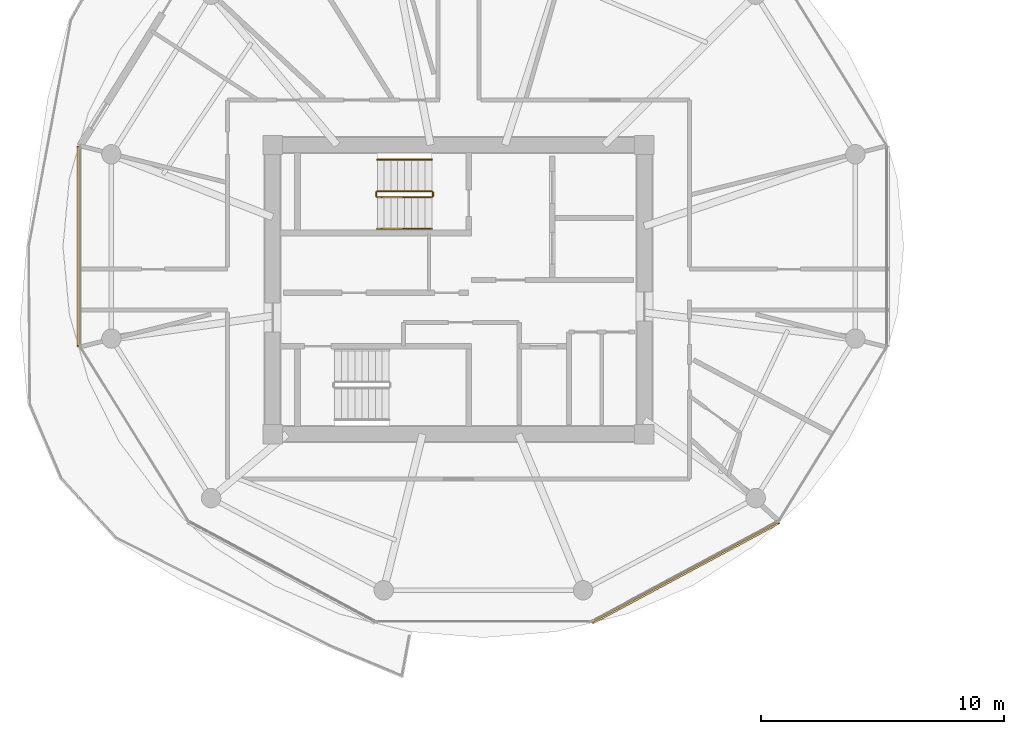
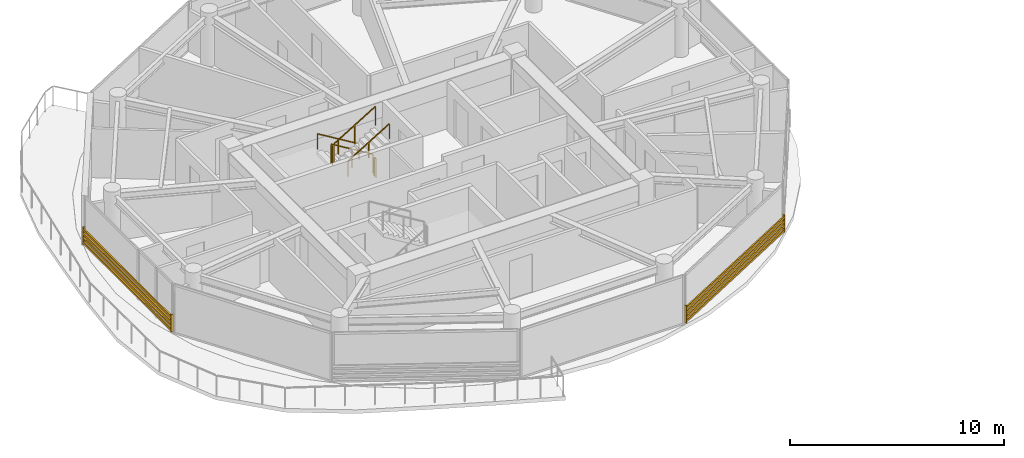
# One storey, part 20 of 23: 6 railings, 2 shading devices.
"""IFC4 building model written with IfcOpenShell, lengths in metres."""

from ifc_helpers import new_model, si_unit, direction, frame, origin, origin_2d, place, context, subcontext, project, spatial, rectangle, extrude, source, transform, mapped, material, type_object, type_shapes, element, save


model = new_model("IFC4")

# Units and contexts
model_context = context("Model", 3, precision=1e-05, world=origin(), true_north=direction((0.0, 1.0)))
body_context = subcontext(model_context, "Body", "Model", "MODEL_VIEW")
ifc_project = project(units=[si_unit("LENGTHUNIT", "METRE"), si_unit("AREAUNIT", "SQUARE_METRE"), si_unit("VOLUMEUNIT", "CUBIC_METRE"), si_unit("PLANEANGLEUNIT", "RADIAN"), si_unit("MASSUNIT", "GRAM", prefix="KILO")], contexts=[model_context])

# Site, building, storey
site_placement = place(None, origin())
site = spatial("IfcSite", under=ifc_project, at=site_placement, CompositionType="ELEMENT")
building_placement = place(site_placement, origin())
building = spatial("IfcBuilding", under=site, at=building_placement, Name="Norrkilde Senior Care Towers", CompositionType="ELEMENT")
storey_placement = place(building_placement, frame((0.0, 0.0, 164.800048828125)))
storey = spatial("IfcBuildingStorey", under=building, at=storey_placement, Name="L51", CompositionType="ELEMENT", Elevation=164.800048828125)

# Railings
ifc_material_1 = material(Name="Stainless Steel", Category="steel")
railing_type_1 = type_object("IfcRailingType", Name="Stair and Terrace Guardrail 1100", PredefinedType="GUARDRAIL", material=ifc_material_1)
railing_1_placement = place(storey_placement, frame((-29.10009765625, 4.050048828125, 0.16943359375)))
element("IfcRailing", 1, at=railing_1_placement, inside=storey, type_object=railing_type_1, Name="L51 ST-W1 stair guard 1", PredefinedType="GUARDRAIL", context=body_context, shape_type="SweptSolid", body=[
    extrude(rectangle(XDim=0.048095703125, YDim=0.048095703125, at=origin_2d()), frame((0.0, 0.0, 1.076171875), z_axis=(-0.855553338991, 0.0, 0.51771467445), x_axis=(0.0, -1.0, 0.0)), (0.0, 0.0, 1.0), 2.6181640625),
    extrude(rectangle(XDim=0.0419921875, YDim=0.0419921875, at=origin_2d()), origin(), (0.0, 0.0, 1.0), 1.050048828125),
    extrude(rectangle(XDim=0.0419921875, YDim=0.0419921875, at=origin_2d()), frame((-1.1201171875, 0.0, 0.677734375)), (0.0, 0.0, 1.0), 1.050048828125),
    extrude(rectangle(XDim=0.0419921875, YDim=0.0419921875, at=origin_2d()), frame((-2.239990234375, 0.0, 1.35546875)), (0.0, 0.0, 1.0), 1.050048828125),
])
railing_2_placement = place(storey_placement, frame((-31.389892578125, 4.0, 1.52490234375)))
element("IfcRailing", 2, at=railing_2_placement, inside=storey, type_object=railing_type_1, Name="L51 ST-W1 stair guard 2", PredefinedType="GUARDRAIL", context=body_context, shape_type="SweptSolid", body=[
    extrude(rectangle(XDim=0.048095703125, YDim=0.048095703125, at=origin_2d()), frame((0.0, 0.0, 1.076171875), z_axis=(0.0, -1.0, 0.0), x_axis=(1.0, 0.0, 0.0)), (0.0, 0.0, 1.0), 0.14990234375),
    extrude(rectangle(XDim=0.0419921875, YDim=0.0419921875, at=origin_2d()), origin(), (0.0, 0.0, 1.0), 1.050048828125),
    extrude(rectangle(XDim=0.0419921875, YDim=0.0419921875, at=origin_2d()), frame((0.0, -0.14990234375, 0.0)), (0.0, 0.0, 1.0), 1.050048828125),
])
railing_3_placement = place(storey_placement, frame((-31.340087890625, 3.800048828125, 1.6943359375)))
element("IfcRailing", 3, at=railing_3_placement, inside=storey, type_object=railing_type_1, Name="L51 ST-W1 stair guard 3", PredefinedType="GUARDRAIL", context=body_context, shape_type="SweptSolid", body=[
    extrude(rectangle(XDim=0.048095703125, YDim=0.048095703125, at=origin_2d()), frame((0.0, 0.0, 1.076171875), z_axis=(0.855512035549, 0.0, 0.517782924622), x_axis=(0.0, 1.0, 0.0)), (0.0, 0.0, 1.0), 2.618408203125),
    extrude(rectangle(XDim=0.0419921875, YDim=0.0419921875, at=origin_2d()), origin(), (0.0, 0.0, 1.0), 1.050048828125),
    extrude(rectangle(XDim=0.0419921875, YDim=0.0419921875, at=origin_2d()), frame((1.1201171875, 0.0, 0.677734375)), (0.0, 0.0, 1.0), 1.050048828125),
    extrude(rectangle(XDim=0.0419921875, YDim=0.0419921875, at=origin_2d()), frame((2.239990234375, 0.0, 1.355712890625)), (0.0, 0.0, 1.0), 1.050048828125),
])
railing_4_placement = place(storey_placement, frame((-29.050048828125, 4.0, 0.0)))
element("IfcRailing", 4, at=railing_4_placement, inside=storey, type_object=railing_type_1, Name="L51 ST-W1 stair guard 4", PredefinedType="GUARDRAIL", context=body_context, shape_type="SweptSolid", body=[
    extrude(rectangle(XDim=0.048095703125, YDim=0.048095703125, at=origin_2d()), frame((0.0, 0.0, 1.076171875), z_axis=(0.0, -1.0, 0.0), x_axis=(1.0, 0.0, 0.0)), (0.0, 0.0, 1.0), 0.14990234375),
    extrude(rectangle(XDim=0.0419921875, YDim=0.0419921875, at=origin_2d()), origin(), (0.0, 0.0, 1.0), 1.050048828125),
    extrude(rectangle(XDim=0.0419921875, YDim=0.0419921875, at=origin_2d()), frame((0.0, -0.14990234375, 0.0)), (0.0, 0.0, 1.0), 1.050048828125),
])
ifc_material_2 = material(Name="Nordic Ash Timber", Category="wood")
railing_type_2 = type_object("IfcRailingType", Name="Wall and Stair Handrail 900", PredefinedType="HANDRAIL", material=ifc_material_2)
railing_5_placement = place(storey_placement, frame((-29.10009765625, 5.35009765625, 0.16943359375)))
element("IfcRailing", 5, at=railing_5_placement, inside=storey, type_object=railing_type_2, Name="L51 ST-W1 stair handrail 1", PredefinedType="HANDRAIL", context=body_context, shape_type="SweptSolid", body=[
    extrude(rectangle(XDim=0.048095703125, YDim=0.048095703125, at=origin_2d()), frame((0.0, 0.0, 0.8759765625), z_axis=(-0.855553338991, 0.0, 0.51771467445), x_axis=(0.0, -1.0, 0.0)), (0.0, 0.0, 1.0), 2.6181640625),
    extrude(rectangle(XDim=0.0419921875, YDim=0.0419921875, at=origin_2d()), origin(), (0.0, 0.0, 1.0), 0.849853515625),
    extrude(rectangle(XDim=0.0419921875, YDim=0.0419921875, at=origin_2d()), frame((-1.1201171875, 0.0, 0.677734375)), (0.0, 0.0, 1.0), 0.849853515625),
    extrude(rectangle(XDim=0.0419921875, YDim=0.0419921875, at=origin_2d()), frame((-2.239990234375, 0.0, 1.35546875)), (0.0, 0.0, 1.0), 0.849853515625),
])
railing_6_placement = place(storey_placement, frame((-31.340087890625, 2.5, 1.6943359375)))
element("IfcRailing", 6, at=railing_6_placement, inside=storey, type_object=railing_type_2, Name="L51 ST-W1 stair handrail 2", PredefinedType="HANDRAIL", context=body_context, shape_type="SweptSolid", body=[
    extrude(rectangle(XDim=0.048095703125, YDim=0.048095703125, at=origin_2d()), frame((0.0, 0.0, 0.8759765625), z_axis=(0.855512035549, 0.0, 0.517782924622), x_axis=(0.0, 1.0, 0.0)), (0.0, 0.0, 1.0), 2.618408203125),
    extrude(rectangle(XDim=0.0419921875, YDim=0.0419921875, at=origin_2d()), origin(), (0.0, 0.0, 1.0), 0.849853515625),
    extrude(rectangle(XDim=0.0419921875, YDim=0.0419921875, at=origin_2d()), frame((1.1201171875, 0.0, 0.677734375)), (0.0, 0.0, 1.0), 0.849853515625),
    extrude(rectangle(XDim=0.0419921875, YDim=0.0419921875, at=origin_2d()), frame((2.239990234375, 0.0, 1.355712890625)), (0.0, 0.0, 1.0), 0.849853515625),
])

# Shading devices
ifc_material_3 = material(Name="Architectural Terracotta", Category="masonry")
shading_device_type = type_object("IfcShadingDeviceType", Name="Horizontal Terracotta Baguette Rack", PredefinedType="USERDEFINED", material=ifc_material_3)
shared_shape_1 = source(origin(), body_context, "Body", "SweptSolid", [
    extrude(rectangle(XDim=0.070068359375, YDim=0.110107421875, at=origin_2d()), frame((0.0, 0.090087890625, 0.125), z_axis=(1.0, 0.0, 0.0), x_axis=(0.0, 1.0, 0.0)), (0.0, 0.0, 1.0), 8.741943359375),
    extrude(rectangle(XDim=0.070068359375, YDim=0.110107421875, at=origin_2d()), frame((0.0, 0.090087890625, 0.375), z_axis=(1.0, 0.0, 0.0), x_axis=(0.0, 1.0, 0.0)), (0.0, 0.0, 1.0), 8.741943359375),
    extrude(rectangle(XDim=0.070068359375, YDim=0.110107421875, at=origin_2d()), frame((0.0, 0.090087890625, 0.625), z_axis=(1.0, 0.0, 0.0), x_axis=(0.0, 1.0, 0.0)), (0.0, 0.0, 1.0), 8.741943359375),
    extrude(rectangle(XDim=0.070068359375, YDim=0.110107421875, at=origin_2d()), frame((0.0, 0.090087890625, 0.875), z_axis=(1.0, 0.0, 0.0), x_axis=(0.0, 1.0, 0.0)), (0.0, 0.0, 1.0), 8.741943359375),
    extrude(rectangle(XDim=0.050048828125, YDim=0.1552734375, at=origin_2d()), frame((0.02490234375, 0.047607421875, 0.0)), (0.0, 0.0, 1.0), 1.0),
    extrude(rectangle(XDim=0.050048828125, YDim=0.1552734375, at=origin_2d()), frame((8.716796875, 0.047607421875, 0.0)), (0.0, 0.0, 1.0), 1.0),
])
shading_device_1_placement = place(storey_placement, frame((-14.826904296875, -9.524169921875, 0.079833984375), z_axis=(0.0, 0.0, 1.0), x_axis=(-0.881000921608, -0.473119781048, 0.0)))
element("IfcShadingDevice", 7, at=shading_device_1_placement, inside=storey, type_object=shading_device_type, Name="L51 Drum W Terracotta Baguette Screen 09", ObjectType="BAGUETTE", PredefinedType="USERDEFINED", context=body_context, shape_type="MappedRepresentation", body=[
    mapped(shared_shape_1, transform((0.0, 0.0, 0.0), x_axis=(1.0, 0.0, 0.0), y_axis=(0.0, 1.0, 0.0), z_axis=(0.0, 0.0, 1.0), scale=1.0)),
])
shared_shape_2 = source(origin(), body_context, "Body", "SweptSolid", [
    extrude(rectangle(XDim=0.070068359375, YDim=0.110107421875, at=origin_2d()), frame((0.0, 0.090087890625, 0.125), z_axis=(1.0, 0.0, 0.0), x_axis=(0.0, 1.0, 0.0)), (0.0, 0.0, 1.0), 8.27197265625),
    extrude(rectangle(XDim=0.070068359375, YDim=0.110107421875, at=origin_2d()), frame((0.0, 0.090087890625, 0.375), z_axis=(1.0, 0.0, 0.0), x_axis=(0.0, 1.0, 0.0)), (0.0, 0.0, 1.0), 8.27197265625),
    extrude(rectangle(XDim=0.070068359375, YDim=0.110107421875, at=origin_2d()), frame((0.0, 0.090087890625, 0.625), z_axis=(1.0, 0.0, 0.0), x_axis=(0.0, 1.0, 0.0)), (0.0, 0.0, 1.0), 8.27197265625),
    extrude(rectangle(XDim=0.070068359375, YDim=0.110107421875, at=origin_2d()), frame((0.0, 0.090087890625, 0.875), z_axis=(1.0, 0.0, 0.0), x_axis=(0.0, 1.0, 0.0)), (0.0, 0.0, 1.0), 8.27197265625),
    extrude(rectangle(XDim=0.050048828125, YDim=0.1552734375, at=origin_2d()), frame((0.02490234375, 0.047607421875, 0.0)), (0.0, 0.0, 1.0), 1.0),
    extrude(rectangle(XDim=0.050048828125, YDim=0.1552734375, at=origin_2d()), frame((8.2470703125, 0.047607421875, 0.0)), (0.0, 0.0, 1.0), 1.0),
])
type_shapes(shading_device_type, [shared_shape_1, shared_shape_2])
shading_device_2_placement = place(storey_placement, frame((-43.569580078125, -2.360595703125, 0.079833984375), z_axis=(0.0, 0.0, 1.0), x_axis=(0.0, 1.0, 0.0)))
element("IfcShadingDevice", 8, at=shading_device_2_placement, inside=storey, type_object=shading_device_type, Name="L51 Drum W Terracotta Baguette Screen 05", ObjectType="BAGUETTE", PredefinedType="USERDEFINED", context=body_context, shape_type="MappedRepresentation", body=[
    mapped(shared_shape_2, transform((0.0, 0.0, 0.0), x_axis=(1.0, 0.0, 0.0), y_axis=(0.0, 1.0, 0.0), z_axis=(0.0, 0.0, 1.0), scale=1.0)),
])

save(model, "model.ifc")
